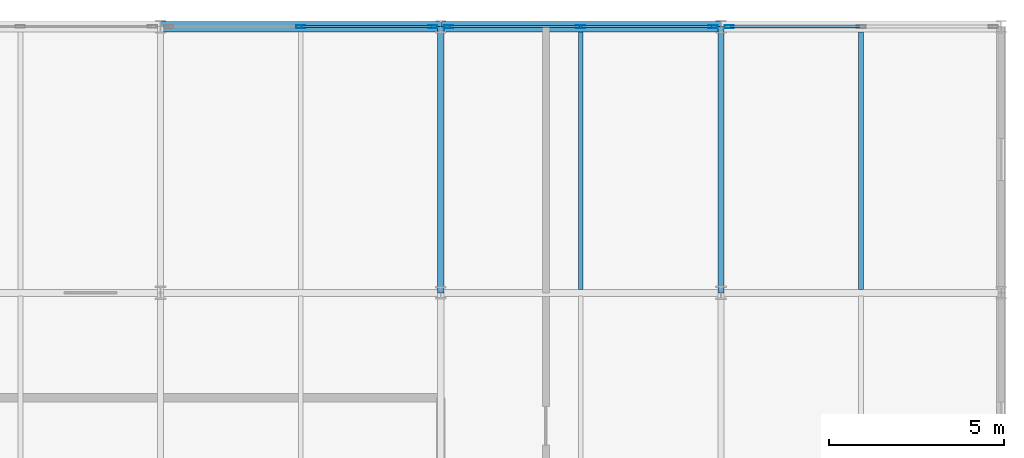
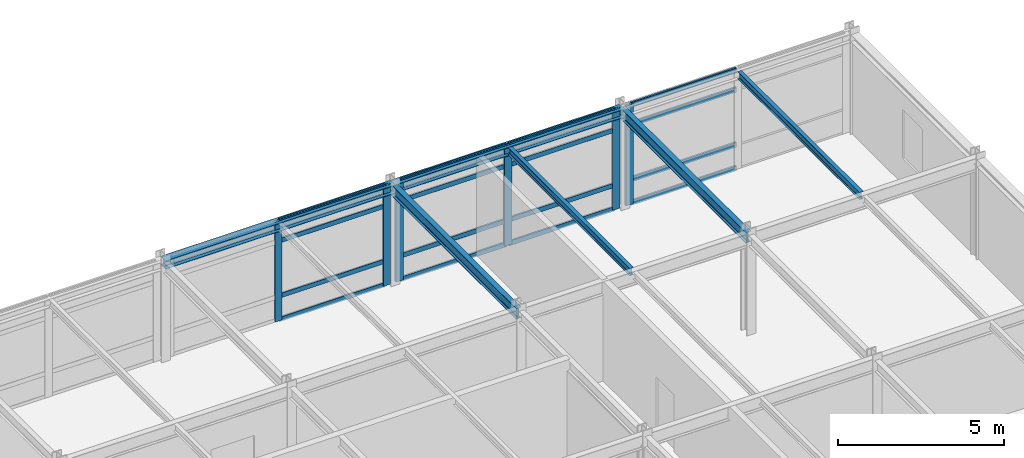
# One storey, part 8 of 15: 22 members, 6 beams, 3 elements without a shape of their own.
"""IFC4 building model written with IfcOpenShell, lengths in metres."""

import ifcopenshell
import ifcopenshell.guid

model = None  # the IFC model being written
_history = None  # IfcOwnerHistory: only IFC2X3 demands one
_inside = {}  # id of a spatial element -> (the spatial element, [elements in it])
_under = {}  # id of a project, library or spatial element -> (it, [spatial elements below it])
_declared = {}  # id of a project -> (the project, [libraries it declares])
_typed = {}  # id of a type object -> (the type object, [elements of that type])
_made_of = {}  # id of a material, layer set ... -> (it, [elements and type objects made of it])


def new_model(schema):
    """Start an empty IFC model of exactly this schema.

    Asked for "IFC4X3", IfcOpenShell would pick the latest addendum, in which some entities
    have other attributes; the version numbers below select the first issue.
    IFC2X3 requires an IfcOwnerHistory on every rooted entity: one is made here for all.
    """
    global model, _history
    if schema == "IFC4X3":
        model = ifcopenshell.file(schema_version=(4, 3, 0, 0))
    else:
        model = ifcopenshell.file(schema=schema)
    _inside.clear()
    _under.clear()
    _declared.clear()
    _typed.clear()
    _made_of.clear()
    _history = None
    if model.schema == "IFC2X3":
        org = make("IfcOrganization", Name="unknown")
        user = make(
            "IfcPersonAndOrganization",
            ThePerson=make("IfcPerson", FamilyName="unknown"),
            TheOrganization=org,
        )
        app = make(
            "IfcApplication",
            ApplicationDeveloper=org,
            Version="unknown",
            ApplicationFullName="unknown",
            ApplicationIdentifier="unknown",
        )
        _history = make(
            "IfcOwnerHistory",
            OwningUser=user,
            OwningApplication=app,
            ChangeAction="ADDED",
            CreationDate=0,
        )
    return model


def make(cls, **values):
    """One entity of the class cls with the attributes given. An attribute that is None is left unset."""
    return model.create_entity(
        cls, **{name: value for name, value in values.items() if value is not None}
    )


def rooted(cls, **values):
    """An entity with a GlobalId (a new one), such as an element, a storey or a relation."""
    return make(cls, GlobalId=ifcopenshell.guid.new(), OwnerHistory=_history, **values)


def si_unit(unit_type, name, prefix=None):
    """IfcSIUnit, for example si_unit("LENGTHUNIT", "METRE", prefix="MILLI")."""
    return make("IfcSIUnit", UnitType=unit_type, Prefix=prefix, Name=name)


def assignment(units):
    """IfcUnitAssignment: the units of a project."""
    return None if units is None else make("IfcUnitAssignment", Units=units)


def point(xyz):
    """IfcCartesianPoint."""
    return None if xyz is None else make("IfcCartesianPoint", Coordinates=xyz)


def direction(xyz):
    """IfcDirection."""
    return None if xyz is None else make("IfcDirection", DirectionRatios=xyz)


def frame(location, z_axis=None, x_axis=None):
    """IfcAxis2Placement3D, a coordinate frame: its origin and axes. An axis left out is left unset."""
    return make(
        "IfcAxis2Placement3D",
        Location=point(location),
        Axis=direction(z_axis),
        RefDirection=direction(x_axis),
    )


def frame_2d(location, x_axis=None):
    """IfcAxis2Placement2D, a coordinate frame in the plane: its origin and x axis."""
    return make(
        "IfcAxis2Placement2D", Location=point(location), RefDirection=direction(x_axis)
    )


def origin():
    """The frame at (0, 0, 0) with its axes left unset."""
    return frame((0.0, 0.0, 0.0))


def origin_2d():
    """The frame at (0, 0) in the plane with its x axis left unset."""
    return frame_2d((0.0, 0.0))


def place(relative_to, where):
    """IfcLocalPlacement: puts the frame where relative to a parent placement (None: the world)."""
    return make(
        "IfcLocalPlacement", PlacementRelTo=relative_to, RelativePlacement=where
    )


def context(
    kind, dimensions, precision=None, world=None, true_north=None, identifier=None
):
    """IfcGeometricRepresentationContext, for example the 3D "Model" context."""
    return make(
        "IfcGeometricRepresentationContext",
        ContextIdentifier=identifier,
        ContextType=kind,
        CoordinateSpaceDimension=dimensions,
        Precision=precision,
        WorldCoordinateSystem=world,
        TrueNorth=true_north,
    )


def subcontext(parent, identifier, kind, view, scale=None):
    """IfcGeometricRepresentationSubContext, for example "Body" below "Model"."""
    return make(
        "IfcGeometricRepresentationSubContext",
        ContextIdentifier=identifier,
        ContextType=kind,
        ParentContext=parent,
        TargetScale=scale,
        TargetView=view,
    )


def project(units=None, contexts=None):
    """IfcProject with its units and contexts."""
    return rooted(
        "IfcProject",
        Name="project",
        RepresentationContexts=contexts,
        UnitsInContext=assignment(units),
    )


def spatial(cls, under=None, at=None, **own):
    """A site, building, storey or space (cls), placed at a placement, below another one or the project."""
    s = rooted(cls, ObjectPlacement=at, **own)
    if under is not None:
        _under.setdefault(under.id(), (under, []))[1].append(s)
    return s


def profile(cls, at=None, kind="AREA", **sizes):
    """A parametric profile (cls). Its sizes go by their IFC names, for example OverallWidth=200.0."""
    return make(cls, ProfileType=kind, Position=at, **sizes)


def hollow_rectangle(**sizes):
    """IfcRectangleHollowProfileDef."""
    return profile("IfcRectangleHollowProfileDef", **sizes)


def i_section(**sizes):
    """IfcIShapeProfileDef."""
    return profile("IfcIShapeProfileDef", **sizes)


def extrude(swept, where, along, depth):
    """IfcExtrudedAreaSolid: the profile swept, set in the frame where, extruded along a direction by depth."""
    return make(
        "IfcExtrudedAreaSolid",
        SweptArea=swept,
        Position=where,
        ExtrudedDirection=direction(along),
        Depth=depth,
    )


def shape(context_of_items, identifier, shape_type, items):
    """IfcShapeRepresentation: the items that make up one representation, for example the "Body"."""
    return make(
        "IfcShapeRepresentation",
        ContextOfItems=context_of_items,
        RepresentationIdentifier=identifier,
        RepresentationType=shape_type,
        Items=items,
    )


def material(Name=None, Category=None):
    """IfcMaterial."""
    return make("IfcMaterial", Name=Name, Category=Category)


def layer(
    of_material, thickness, ventilated=None, Name=None, Category=None, Priority=None
):
    """IfcMaterialLayer: one layer of a wall or slab, of a material (None: an air gap)."""
    return make(
        "IfcMaterialLayer",
        Material=of_material,
        LayerThickness=thickness,
        IsVentilated=ventilated,
        Name=Name,
        Category=Category,
        Priority=Priority,
    )


def layer_set(layers, Name=None):
    """IfcMaterialLayerSet."""
    return make("IfcMaterialLayerSet", MaterialLayers=layers, LayerSetName=Name)


def material_profile(
    of_material, cross_section, Name=None, Category=None, Priority=None
):
    """IfcMaterialProfile: a cross section and its material."""
    return make(
        "IfcMaterialProfile",
        Name=Name,
        Material=of_material,
        Profile=cross_section,
        Priority=Priority,
        Category=Category,
    )


def profile_set(profiles, Name=None, composite=None):
    """IfcMaterialProfileSet."""
    return make(
        "IfcMaterialProfileSet",
        Name=Name,
        MaterialProfiles=profiles,
        CompositeProfile=composite,
    )


def made_of(thing, what):
    """Note that an element or type object is made of a material, layer set ...; save() writes the relation."""
    if what is not None:
        _made_of.setdefault(what.id(), (what, []))[1].append(thing)
    return thing


def type_object(cls, material=None, **own):
    """A type object (cls), such as IfcWallType, which elements share."""
    return made_of(rooted(cls, **own), material)


def element(
    cls,
    number,
    at=None,
    inside=None,
    cuts=None,
    type_object=None,
    material=None,
    context=None,
    identifier="Body",
    shape_type=None,
    held_by="IfcProductDefinitionShape",
    body=None,
    shapes=None,
    **own,
):
    """One element of the class cls, such as IfcWall. Its Tag is "e" and its number.

    at: its placement. inside: the storey or other place that contains it. cuts: it is an
    opening in that element (IfcRelVoidsElement). A single representation is given by context,
    identifier, shape_type and body (its items); several are given by shapes. held_by: the class
    of the entity that holds the representations. save() writes the other relations.
    """
    e = rooted(cls, Tag="e%d" % number, ObjectPlacement=at, **own)
    if body is not None:
        shapes = [shape(context, identifier, shape_type, body)]
    if shapes is not None:
        e.Representation = make(held_by, Representations=shapes)
    if inside is not None:
        _inside.setdefault(inside.id(), (inside, []))[1].append(e)
    if cuts is not None:
        rooted(
            "IfcRelVoidsElement", RelatingBuildingElement=cuts, RelatedOpeningElement=e
        )
    if type_object is not None:
        _typed.setdefault(type_object.id(), (type_object, []))[1].append(e)
    return made_of(e, material)


def aggregate(whole, parts):
    """IfcRelAggregates: a whole, such as a stair, and the parts it consists of."""
    return rooted("IfcRelAggregates", RelatingObject=whole, RelatedObjects=parts)


def save(model, path):
    """Write the relations noted so far, then the file.

    IfcRelAggregates (storeys below a building ...), IfcRelContainedInSpatialStructure (elements
    in a storey), IfcRelDefinesByType, IfcRelAssociatesMaterial and IfcRelDeclares: one each for
    every whole, place, type object, material and project.
    """
    for whole, parts in _under.values():
        aggregate(whole, parts)
    for where, things in _inside.values():
        rooted(
            "IfcRelContainedInSpatialStructure",
            RelatedElements=things,
            RelatingStructure=where,
        )
    for kind, things in _typed.values():
        rooted("IfcRelDefinesByType", RelatedObjects=things, RelatingType=kind)
    for what, things in _made_of.values():
        rooted("IfcRelAssociatesMaterial", RelatedObjects=things, RelatingMaterial=what)
    for by, libraries in _declared.values():
        rooted("IfcRelDeclares", RelatingContext=by, RelatedDefinitions=libraries)
    model.write(path)


model = new_model("IFC4")

# Units and contexts
model_context = context("Model", 3, precision=1e-05, world=origin(), true_north=direction((0.0, 1.0)))
body_context = subcontext(model_context, "Body", "Model", "MODEL_VIEW")
ifc_project = project(units=[si_unit("LENGTHUNIT", "METRE"), si_unit("AREAUNIT", "SQUARE_METRE"), si_unit("VOLUMEUNIT", "CUBIC_METRE"), si_unit("PLANEANGLEUNIT", "RADIAN"), si_unit("MASSUNIT", "GRAM", prefix="KILO")], contexts=[model_context])

# Site, building, storey
site_placement = place(None, origin())
site = spatial("IfcSite", under=ifc_project, at=site_placement, CompositionType="ELEMENT")
building_placement = place(site_placement, origin())
building = spatial("IfcBuilding", under=site, at=building_placement, Name="Shalkamar Park Central Library", CompositionType="ELEMENT")
storey_placement = place(building_placement, frame((0.0, 0.0, 39.89990234375)))
storey = spatial("IfcBuildingStorey", under=building, at=storey_placement, Name="L10", CompositionType="ELEMENT", Elevation=39.89990234375)

# Beams
ifc_material_1 = material(Name="Steel S355", Category="steel")
ifc_material_profile_1 = material_profile(ifc_material_1, i_section(OverallWidth=0.135009765625, OverallDepth=0.27001953125, WebThickness=0.006591796875, FlangeThickness=0.01025390625, FilletRadius=0.014892578125, at=origin_2d()), Name="IPE 270")
ifc_profile_set_1 = profile_set([ifc_material_profile_1], Name="Steel S355")
beam_type_1 = type_object("IfcBeamType", Name="Composite Floor Joist IPE270", PredefinedType="JOIST", material=ifc_profile_set_1)
for number, where, z_axis, x_axis, name in (
    (1, (209.0, 278.097900390625, 3.545166015625), (0.0, 1.0, 0.0), (-1.0, 0.0, 0.0), "Composite Joist 12/F-1 (L10)"),
    (2, (217.0, 278.097900390625, 3.545166015625), (0.0, 1.0, 0.0), (-1.0, 0.0, 0.0), "Composite Joist 13/F-1 (L10)"),
):
    element("IfcBeam", number, at=place(storey_placement, frame(where, z_axis=z_axis, x_axis=x_axis)), inside=storey, type_object=beam_type_1, Name=name, PredefinedType="JOIST", context=body_context, shape_type="SweptSolid", body=[
        extrude(i_section(OverallWidth=0.135009765625, OverallDepth=0.27001953125, WebThickness=0.006591796875, FlangeThickness=0.01025390625, FilletRadius=0.014892578125, at=origin_2d()), origin(), (0.0, 0.0, 1.0), 7.35400390625),
    ])

# Curtain wall, members
ifc_material_2 = material(Name="Thermally broken aluminium and triple low-e curtain wall", Category="aluminium")
ifc_layer_1 = layer(ifc_material_2, 0.2548828125)
ifc_layer_set_1 = layer_set([ifc_layer_1], Name="UnitisedCurtainWall_75")
curtain_wall_type_1 = type_object("IfcCurtainWallType", Name="Unitised Curtain Wall 75", PredefinedType="USERDEFINED", material=ifc_layer_set_1)
curtain_wall_1_placement = place(storey_placement, origin())
curtain_wall_1 = element("IfcCurtainWall", 3, at=curtain_wall_1_placement, inside=storey, type_object=curtain_wall_type_1, Name="Unitised Curtain Wall CW-L10-123", ObjectType="UNITISED CURTAIN WALL", PredefinedType="USERDEFINED")
ifc_material_3 = material(Name="Aluminium 6060-T66", Category="aluminium")
ifc_material_profile_2 = material_profile(ifc_material_3, hollow_rectangle(XDim=0.080078125, YDim=0.2548828125, WallThickness=0.00439453125, InnerFilletRadius=0.00439453125, OuterFilletRadius=0.0068359375, at=origin_2d()), Name="ALU 80x255x4.5")
ifc_profile_set_2 = profile_set([ifc_material_profile_2], Name="Aluminium 6060-T66")
member_type_1 = type_object("IfcMemberType", Name="Curtain Wall Mullion ALU80x255", PredefinedType="MULLION", material=ifc_profile_set_2)
member_1_placement = place(storey_placement, frame((201.00439453125, 285.60009765625, 0.0), z_axis=(0.0, 0.0, 1.0), x_axis=(0.0, 1.0, 0.0)))
member_1 = element("IfcMember", 4, at=member_1_placement, type_object=member_type_1, Name="CW-75 mullion 2", PredefinedType="MULLION", context=body_context, shape_type="SweptSolid", body=[
    extrude(hollow_rectangle(XDim=0.080078125, YDim=0.2548828125, WallThickness=0.00439453125, InnerFilletRadius=0.00439453125, OuterFilletRadius=0.0068359375, at=origin_2d()), origin(), (0.0, 0.0, 1.0), 3.68017578125),
])
member_2_placement = place(storey_placement, frame((204.776611328125, 285.60009765625, 0.0), z_axis=(0.0, 0.0, 1.0), x_axis=(0.0, 1.0, 0.0)))
member_2 = element("IfcMember", 5, at=member_2_placement, type_object=member_type_1, Name="CW-75 mullion 3", PredefinedType="MULLION", context=body_context, shape_type="SweptSolid", body=[
    extrude(hollow_rectangle(XDim=0.080078125, YDim=0.2548828125, WallThickness=0.00439453125, InnerFilletRadius=0.00439453125, OuterFilletRadius=0.0068359375, at=origin_2d()), origin(), (0.0, 0.0, 1.0), 3.68017578125),
])

ifc_layer_2 = layer(ifc_material_2, 0.27001953125)
ifc_layer_set_2 = layer_set([ifc_layer_2], Name="UnitisedCurtainWall_76")
curtain_wall_type_2 = type_object("IfcCurtainWallType", Name="Unitised Curtain Wall 76", PredefinedType="USERDEFINED", material=ifc_layer_set_2)
curtain_wall_2_placement = place(storey_placement, origin())
curtain_wall_2 = element("IfcCurtainWall", 6, at=curtain_wall_2_placement, inside=storey, type_object=curtain_wall_type_2, Name="Unitised Curtain Wall CW-L10-124", ObjectType="UNITISED CURTAIN WALL", PredefinedType="USERDEFINED")
ifc_material_profile_3 = material_profile(ifc_material_3, hollow_rectangle(XDim=0.080078125, YDim=0.27001953125, WallThickness=0.0048828125, InnerFilletRadius=0.0048828125, OuterFilletRadius=0.007568359375, at=origin_2d()), Name="ALU 80x270x5")
ifc_profile_set_3 = profile_set([ifc_material_profile_3], Name="Aluminium 6060-T66")
member_type_2 = type_object("IfcMemberType", Name="Curtain Wall Mullion ALU80x270", PredefinedType="MULLION", material=ifc_profile_set_3)
member_3_placement = place(storey_placement, frame((205.223388671875, 285.60009765625, 0.0), z_axis=(0.0, 0.0, 1.0), x_axis=(0.0, 1.0, 0.0)))
member_3 = element("IfcMember", 7, at=member_3_placement, type_object=member_type_2, Name="CW-76 mullion 1", PredefinedType="MULLION", context=body_context, shape_type="SweptSolid", body=[
    extrude(hollow_rectangle(XDim=0.080078125, YDim=0.27001953125, WallThickness=0.0048828125, InnerFilletRadius=0.0048828125, OuterFilletRadius=0.007568359375, at=origin_2d()), origin(), (0.0, 0.0, 1.0), 3.68017578125),
])
member_4_placement = place(storey_placement, frame((208.99560546875, 285.60009765625, 0.0), z_axis=(0.0, 0.0, 1.0), x_axis=(0.0, 1.0, 0.0)))
member_4 = element("IfcMember", 8, at=member_4_placement, type_object=member_type_2, Name="CW-76 mullion 2", PredefinedType="MULLION", context=body_context, shape_type="SweptSolid", body=[
    extrude(hollow_rectangle(XDim=0.080078125, YDim=0.27001953125, WallThickness=0.0048828125, InnerFilletRadius=0.0048828125, OuterFilletRadius=0.007568359375, at=origin_2d()), origin(), (0.0, 0.0, 1.0), 3.68017578125),
])
member_5_placement = place(storey_placement, frame((212.767578125, 285.60009765625, 0.0), z_axis=(0.0, 0.0, 1.0), x_axis=(0.0, 1.0, 0.0)))
member_5 = element("IfcMember", 9, at=member_5_placement, type_object=member_type_2, Name="CW-76 mullion 3", PredefinedType="MULLION", context=body_context, shape_type="SweptSolid", body=[
    extrude(hollow_rectangle(XDim=0.080078125, YDim=0.27001953125, WallThickness=0.0048828125, InnerFilletRadius=0.0048828125, OuterFilletRadius=0.007568359375, at=origin_2d()), origin(), (0.0, 0.0, 1.0), 3.68017578125),
])

# Curtain wall, member
ifc_layer_3 = layer(ifc_material_2, 0.264892578125)
ifc_layer_set_3 = layer_set([ifc_layer_3], Name="UnitisedCurtainWall_77")
curtain_wall_type_3 = type_object("IfcCurtainWallType", Name="Unitised Curtain Wall 77", PredefinedType="USERDEFINED", material=ifc_layer_set_3)
curtain_wall_3_placement = place(storey_placement, origin())
curtain_wall_3 = element("IfcCurtainWall", 10, at=curtain_wall_3_placement, inside=storey, type_object=curtain_wall_type_3, Name="Unitised Curtain Wall CW-L10-125", ObjectType="UNITISED CURTAIN WALL", PredefinedType="USERDEFINED")
ifc_material_profile_4 = material_profile(ifc_material_3, hollow_rectangle(XDim=0.0849609375, YDim=0.264892578125, WallThickness=0.0048828125, InnerFilletRadius=0.0048828125, OuterFilletRadius=0.007568359375, at=origin_2d()), Name="ALU 85x265x5")
ifc_profile_set_4 = profile_set([ifc_material_profile_4], Name="Aluminium 6060-T66")
member_type_3 = type_object("IfcMemberType", Name="Curtain Wall Mullion ALU85x265", PredefinedType="MULLION", material=ifc_profile_set_4)
member_6_placement = place(storey_placement, frame((213.235107421875, 285.60009765625, 0.0), z_axis=(0.0, 0.0, 1.0), x_axis=(0.0, 1.0, 0.0)))
member_6 = element("IfcMember", 11, at=member_6_placement, type_object=member_type_3, Name="CW-77 mullion 1", PredefinedType="MULLION", context=body_context, shape_type="SweptSolid", body=[
    extrude(hollow_rectangle(XDim=0.0849609375, YDim=0.264892578125, WallThickness=0.0048828125, InnerFilletRadius=0.0048828125, OuterFilletRadius=0.007568359375, at=origin_2d()), origin(), (0.0, 0.0, 1.0), 3.68017578125),
])

# Member
ifc_material_profile_5 = material_profile(ifc_material_3, hollow_rectangle(XDim=0.06494140625, YDim=0.169921875, WallThickness=0.00390625, InnerFilletRadius=0.00390625, OuterFilletRadius=0.006103515625, at=origin_2d()), Name="ALU 65x170x4")
ifc_profile_set_5 = profile_set([ifc_material_profile_5], Name="Aluminium 6060-T66")
member_type_4 = type_object("IfcMemberType", Name="Curtain Wall Transom ALU65x170", PredefinedType="USERDEFINED", material=ifc_profile_set_5)
member_7_placement = place(storey_placement, frame((201.04443359375, 285.60009765625, 0.03271484375), z_axis=(1.0, 0.0, 0.0), x_axis=(0.0, 1.0, 0.0)))
member_7 = element("IfcMember", 12, at=member_7_placement, type_object=member_type_4, Name="CW-75 transom 2.1", ObjectType="TRANSOM", PredefinedType="USERDEFINED", context=body_context, shape_type="SweptSolid", body=[
    extrude(hollow_rectangle(XDim=0.06494140625, YDim=0.169921875, WallThickness=0.00390625, InnerFilletRadius=0.00390625, OuterFilletRadius=0.006103515625, at=origin_2d()), origin(), (0.0, 0.0, 1.0), 3.692138671875),
])

member_8_placement = place(storey_placement, frame((201.04443359375, 285.60009765625, 0.900146484375), z_axis=(1.0, 0.0, 0.0), x_axis=(0.0, 1.0, 0.0)))
member_8 = element("IfcMember", 13, at=member_8_placement, type_object=member_type_4, Name="CW-75 transom 2.2", ObjectType="TRANSOM", PredefinedType="USERDEFINED", context=body_context, shape_type="SweptSolid", body=[
    extrude(hollow_rectangle(XDim=0.06494140625, YDim=0.169921875, WallThickness=0.00390625, InnerFilletRadius=0.00390625, OuterFilletRadius=0.006103515625, at=origin_2d()), origin(), (0.0, 0.0, 1.0), 3.692138671875),
])

member_9_placement = place(storey_placement, frame((201.04443359375, 285.60009765625, 2.93017578125), z_axis=(1.0, 0.0, 0.0), x_axis=(0.0, 1.0, 0.0)))
member_9 = element("IfcMember", 14, at=member_9_placement, type_object=member_type_4, Name="CW-75 transom 2.3", ObjectType="TRANSOM", PredefinedType="USERDEFINED", context=body_context, shape_type="SweptSolid", body=[
    extrude(hollow_rectangle(XDim=0.06494140625, YDim=0.169921875, WallThickness=0.00390625, InnerFilletRadius=0.00390625, OuterFilletRadius=0.006103515625, at=origin_2d()), origin(), (0.0, 0.0, 1.0), 3.692138671875),
])

member_10_placement = place(storey_placement, frame((201.04443359375, 285.60009765625, 3.647705078125), z_axis=(1.0, 0.0, 0.0), x_axis=(0.0, 1.0, 0.0)))
member_10 = element("IfcMember", 15, at=member_10_placement, type_object=member_type_4, Name="CW-75 transom 2.4", ObjectType="TRANSOM", PredefinedType="USERDEFINED", context=body_context, shape_type="SweptSolid", body=[
    extrude(hollow_rectangle(XDim=0.06494140625, YDim=0.169921875, WallThickness=0.00390625, InnerFilletRadius=0.00390625, OuterFilletRadius=0.006103515625, at=origin_2d()), origin(), (0.0, 0.0, 1.0), 3.692138671875),
])

aggregate(curtain_wall_1, [member_1, member_2, member_7, member_8, member_9, member_10])

ifc_material_profile_6 = material_profile(ifc_material_3, hollow_rectangle(XDim=0.06494140625, YDim=0.175048828125, WallThickness=0.00439453125, InnerFilletRadius=0.00439453125, OuterFilletRadius=0.0068359375, at=origin_2d()), Name="ALU 65x175x4.5")
ifc_profile_set_6 = profile_set([ifc_material_profile_6], Name="Aluminium 6060-T66")
member_type_5 = type_object("IfcMemberType", Name="Curtain Wall Transom ALU65x175", PredefinedType="USERDEFINED", material=ifc_profile_set_6)
member_11_placement = place(storey_placement, frame((205.263427734375, 285.60009765625, 0.03271484375), z_axis=(1.0, 0.0, 0.0), x_axis=(0.0, 1.0, 0.0)))
member_11 = element("IfcMember", 16, at=member_11_placement, type_object=member_type_5, Name="CW-76 transom 1.1", ObjectType="TRANSOM", PredefinedType="USERDEFINED", context=body_context, shape_type="SweptSolid", body=[
    extrude(hollow_rectangle(XDim=0.06494140625, YDim=0.175048828125, WallThickness=0.00439453125, InnerFilletRadius=0.00439453125, OuterFilletRadius=0.0068359375, at=origin_2d()), origin(), (0.0, 0.0, 1.0), 3.692138671875),
])

member_12_placement = place(storey_placement, frame((205.263427734375, 285.60009765625, 0.900146484375), z_axis=(1.0, 0.0, 0.0), x_axis=(0.0, 1.0, 0.0)))
member_12 = element("IfcMember", 17, at=member_12_placement, type_object=member_type_5, Name="CW-76 transom 1.2", ObjectType="TRANSOM", PredefinedType="USERDEFINED", context=body_context, shape_type="SweptSolid", body=[
    extrude(hollow_rectangle(XDim=0.06494140625, YDim=0.175048828125, WallThickness=0.00439453125, InnerFilletRadius=0.00439453125, OuterFilletRadius=0.0068359375, at=origin_2d()), origin(), (0.0, 0.0, 1.0), 3.692138671875),
])

member_13_placement = place(storey_placement, frame((205.263427734375, 285.60009765625, 2.93017578125), z_axis=(1.0, 0.0, 0.0), x_axis=(0.0, 1.0, 0.0)))
member_13 = element("IfcMember", 18, at=member_13_placement, type_object=member_type_5, Name="CW-76 transom 1.3", ObjectType="TRANSOM", PredefinedType="USERDEFINED", context=body_context, shape_type="SweptSolid", body=[
    extrude(hollow_rectangle(XDim=0.06494140625, YDim=0.175048828125, WallThickness=0.00439453125, InnerFilletRadius=0.00439453125, OuterFilletRadius=0.0068359375, at=origin_2d()), origin(), (0.0, 0.0, 1.0), 3.692138671875),
])

member_14_placement = place(storey_placement, frame((205.263427734375, 285.60009765625, 3.647705078125), z_axis=(1.0, 0.0, 0.0), x_axis=(0.0, 1.0, 0.0)))
member_14 = element("IfcMember", 19, at=member_14_placement, type_object=member_type_5, Name="CW-76 transom 1.4", ObjectType="TRANSOM", PredefinedType="USERDEFINED", context=body_context, shape_type="SweptSolid", body=[
    extrude(hollow_rectangle(XDim=0.06494140625, YDim=0.175048828125, WallThickness=0.00439453125, InnerFilletRadius=0.00439453125, OuterFilletRadius=0.0068359375, at=origin_2d()), origin(), (0.0, 0.0, 1.0), 3.692138671875),
])

member_15_placement = place(storey_placement, frame((209.035400390625, 285.60009765625, 0.03271484375), z_axis=(1.0, 0.0, 0.0), x_axis=(0.0, 1.0, 0.0)))
member_15 = element("IfcMember", 20, at=member_15_placement, type_object=member_type_5, Name="CW-76 transom 2.1", ObjectType="TRANSOM", PredefinedType="USERDEFINED", context=body_context, shape_type="SweptSolid", body=[
    extrude(hollow_rectangle(XDim=0.06494140625, YDim=0.175048828125, WallThickness=0.00439453125, InnerFilletRadius=0.00439453125, OuterFilletRadius=0.0068359375, at=origin_2d()), origin(), (0.0, 0.0, 1.0), 3.692138671875),
])

member_16_placement = place(storey_placement, frame((209.035400390625, 285.60009765625, 0.900146484375), z_axis=(1.0, 0.0, 0.0), x_axis=(0.0, 1.0, 0.0)))
member_16 = element("IfcMember", 21, at=member_16_placement, type_object=member_type_5, Name="CW-76 transom 2.2", ObjectType="TRANSOM", PredefinedType="USERDEFINED", context=body_context, shape_type="SweptSolid", body=[
    extrude(hollow_rectangle(XDim=0.06494140625, YDim=0.175048828125, WallThickness=0.00439453125, InnerFilletRadius=0.00439453125, OuterFilletRadius=0.0068359375, at=origin_2d()), origin(), (0.0, 0.0, 1.0), 3.692138671875),
])

member_17_placement = place(storey_placement, frame((209.035400390625, 285.60009765625, 2.93017578125), z_axis=(1.0, 0.0, 0.0), x_axis=(0.0, 1.0, 0.0)))
member_17 = element("IfcMember", 22, at=member_17_placement, type_object=member_type_5, Name="CW-76 transom 2.3", ObjectType="TRANSOM", PredefinedType="USERDEFINED", context=body_context, shape_type="SweptSolid", body=[
    extrude(hollow_rectangle(XDim=0.06494140625, YDim=0.175048828125, WallThickness=0.00439453125, InnerFilletRadius=0.00439453125, OuterFilletRadius=0.0068359375, at=origin_2d()), origin(), (0.0, 0.0, 1.0), 3.692138671875),
])

member_18_placement = place(storey_placement, frame((209.035400390625, 285.60009765625, 3.647705078125), z_axis=(1.0, 0.0, 0.0), x_axis=(0.0, 1.0, 0.0)))
member_18 = element("IfcMember", 23, at=member_18_placement, type_object=member_type_5, Name="CW-76 transom 2.4", ObjectType="TRANSOM", PredefinedType="USERDEFINED", context=body_context, shape_type="SweptSolid", body=[
    extrude(hollow_rectangle(XDim=0.06494140625, YDim=0.175048828125, WallThickness=0.00439453125, InnerFilletRadius=0.00439453125, OuterFilletRadius=0.0068359375, at=origin_2d()), origin(), (0.0, 0.0, 1.0), 3.692138671875),
])

aggregate(curtain_wall_2, [member_3, member_4, member_5, member_11, member_12, member_13, member_14, member_15, member_16, member_17, member_18])

ifc_material_profile_7 = material_profile(ifc_material_3, hollow_rectangle(XDim=0.070068359375, YDim=0.179931640625, WallThickness=0.00439453125, InnerFilletRadius=0.00439453125, OuterFilletRadius=0.0068359375, at=origin_2d()), Name="ALU 70x180x4.5")
ifc_profile_set_7 = profile_set([ifc_material_profile_7], Name="Aluminium 6060-T66")
member_type_6 = type_object("IfcMemberType", Name="Curtain Wall Transom ALU70x180", PredefinedType="USERDEFINED", material=ifc_profile_set_7)
member_19_placement = place(storey_placement, frame((213.277587890625, 285.60009765625, 0.03515625), z_axis=(1.0, 0.0, 0.0), x_axis=(0.0, 1.0, 0.0)))
member_19 = element("IfcMember", 24, at=member_19_placement, type_object=member_type_6, Name="CW-77 transom 1.1", ObjectType="TRANSOM", PredefinedType="USERDEFINED", context=body_context, shape_type="SweptSolid", body=[
    extrude(hollow_rectangle(XDim=0.070068359375, YDim=0.179931640625, WallThickness=0.00439453125, InnerFilletRadius=0.00439453125, OuterFilletRadius=0.0068359375, at=origin_2d()), origin(), (0.0, 0.0, 1.0), 3.684326171875),
])

member_20_placement = place(storey_placement, frame((213.277587890625, 285.60009765625, 0.900146484375), z_axis=(1.0, 0.0, 0.0), x_axis=(0.0, 1.0, 0.0)))
member_20 = element("IfcMember", 25, at=member_20_placement, type_object=member_type_6, Name="CW-77 transom 1.2", ObjectType="TRANSOM", PredefinedType="USERDEFINED", context=body_context, shape_type="SweptSolid", body=[
    extrude(hollow_rectangle(XDim=0.070068359375, YDim=0.179931640625, WallThickness=0.00439453125, InnerFilletRadius=0.00439453125, OuterFilletRadius=0.0068359375, at=origin_2d()), origin(), (0.0, 0.0, 1.0), 3.684326171875),
])

member_21_placement = place(storey_placement, frame((213.277587890625, 285.60009765625, 2.93017578125), z_axis=(1.0, 0.0, 0.0), x_axis=(0.0, 1.0, 0.0)))
member_21 = element("IfcMember", 26, at=member_21_placement, type_object=member_type_6, Name="CW-77 transom 1.3", ObjectType="TRANSOM", PredefinedType="USERDEFINED", context=body_context, shape_type="SweptSolid", body=[
    extrude(hollow_rectangle(XDim=0.070068359375, YDim=0.179931640625, WallThickness=0.00439453125, InnerFilletRadius=0.00439453125, OuterFilletRadius=0.0068359375, at=origin_2d()), origin(), (0.0, 0.0, 1.0), 3.684326171875),
])

member_22_placement = place(storey_placement, frame((213.277587890625, 285.60009765625, 3.64501953125), z_axis=(1.0, 0.0, 0.0), x_axis=(0.0, 1.0, 0.0)))
member_22 = element("IfcMember", 27, at=member_22_placement, type_object=member_type_6, Name="CW-77 transom 1.4", ObjectType="TRANSOM", PredefinedType="USERDEFINED", context=body_context, shape_type="SweptSolid", body=[
    extrude(hollow_rectangle(XDim=0.070068359375, YDim=0.179931640625, WallThickness=0.00439453125, InnerFilletRadius=0.00439453125, OuterFilletRadius=0.0068359375, at=origin_2d()), origin(), (0.0, 0.0, 1.0), 3.684326171875),
])

aggregate(curtain_wall_3, [member_6, member_19, member_20, member_21, member_22])

# Beams
ifc_material_profile_8 = material_profile(ifc_material_1, i_section(OverallWidth=0.300048828125, OverallDepth=0.31005859375, WebThickness=0.009033203125, FlangeThickness=0.015380859375, FilletRadius=0.027099609375, at=origin_2d()), Name="HEA 320")
ifc_profile_set_8 = profile_set([ifc_material_profile_8], Name="Steel S355")
beam_type_2 = type_object("IfcBeamType", Name="Perimeter Spandrel Beam HEA320", PredefinedType="SPANDREL", material=ifc_profile_set_8)
for number, where, z_axis, x_axis, name in (
    (28, (197.0, 285.60009765625, 3.525146484375), (1.0, 0.0, 0.0), (0.0, 1.0, 0.0), "Beam G:11-12 (L10)"),
    (29, (205.0, 285.60009765625, 3.525146484375), (1.0, 0.0, 0.0), (0.0, 1.0, 0.0), "Beam G:12-13 (L10)"),
):
    element("IfcBeam", number, at=place(storey_placement, frame(where, z_axis=z_axis, x_axis=x_axis)), inside=storey, type_object=beam_type_2, Name=name, PredefinedType="SPANDREL", context=body_context, shape_type="SweptSolid", body=[
        extrude(i_section(OverallWidth=0.300048828125, OverallDepth=0.31005859375, WebThickness=0.009033203125, FlangeThickness=0.015380859375, FilletRadius=0.027099609375, at=origin_2d()), origin(), (0.0, 0.0, 1.0), 8.0),
    ])
ifc_material_profile_9 = material_profile(ifc_material_1, i_section(OverallWidth=0.179931640625, OverallDepth=0.39990234375, WebThickness=0.008544921875, FlangeThickness=0.013427734375, FilletRadius=0.02099609375, at=origin_2d()), Name="IPE 400")
ifc_profile_set_9 = profile_set([ifc_material_profile_9], Name="Steel S355")
beam_type_3 = type_object("IfcBeamType", Name="Primary Girder IPE400", PredefinedType="BEAM", material=ifc_profile_set_9)
for number, where, z_axis, x_axis, name in (
    (30, (205.0, 278.0, 3.47998046875), (0.0, 1.0, 0.0), (-1.0, 0.0, 0.0), "Beam 12:F-G (L10)"),
    (31, (213.0, 278.0, 3.47998046875), (0.0, 1.0, 0.0), (-1.0, 0.0, 0.0), "Beam 13:F-G (L10)"),
):
    element("IfcBeam", number, at=place(storey_placement, frame(where, z_axis=z_axis, x_axis=x_axis)), inside=storey, type_object=beam_type_3, Name=name, PredefinedType="BEAM", context=body_context, shape_type="SweptSolid", body=[
        extrude(i_section(OverallWidth=0.179931640625, OverallDepth=0.39990234375, WebThickness=0.008544921875, FlangeThickness=0.013427734375, FilletRadius=0.02099609375, at=origin_2d()), origin(), (0.0, 0.0, 1.0), 7.60009765625),
    ])

save(model, "model.ifc")
